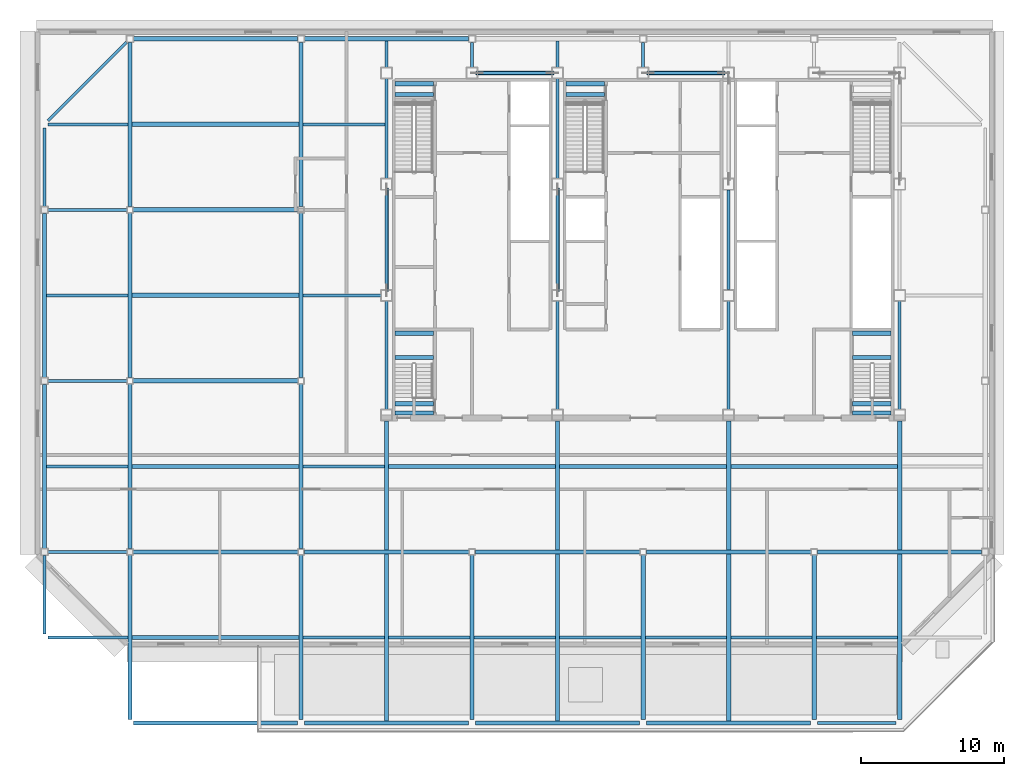
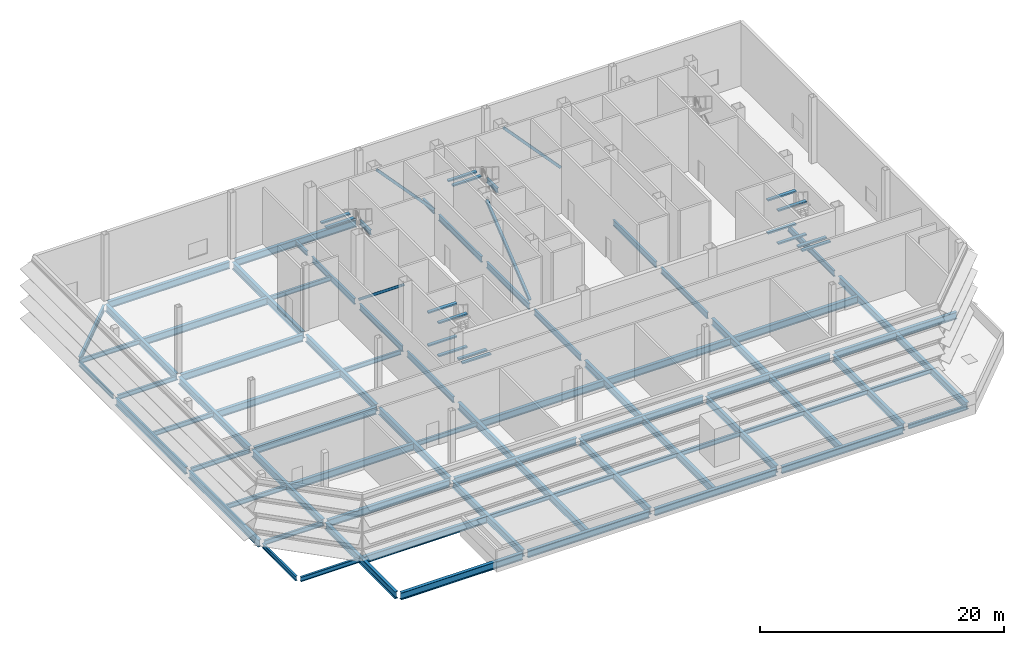
# One storey, part 3 of 14: 91 beams, 4 members.
"""IFC4 building model written with IfcOpenShell, lengths in metres."""

from ifc_helpers import new_model, si_unit, direction, frame, origin, origin_2d, place, context, subcontext, project, spatial, rectangle, hollow_rectangle, i_section, extrude, material, material_profile, profile_set, type_object, element, save


model = new_model("IFC4")

# Units and contexts
model_context = context("Model", 3, precision=1e-05, world=origin(), true_north=direction((0.0, 1.0)))
body_context = subcontext(model_context, "Body", "Model", "MODEL_VIEW")
ifc_project = project(units=[si_unit("LENGTHUNIT", "METRE"), si_unit("AREAUNIT", "SQUARE_METRE"), si_unit("VOLUMEUNIT", "CUBIC_METRE"), si_unit("PLANEANGLEUNIT", "RADIAN"), si_unit("MASSUNIT", "GRAM", prefix="KILO")], contexts=[model_context])

# Site, building, storey
site_placement = place(None, origin())
site = spatial("IfcSite", under=ifc_project, at=site_placement, CompositionType="ELEMENT")
building_placement = place(site_placement, origin())
building = spatial("IfcBuilding", under=site, at=building_placement, Name="Sorahane Residences", CompositionType="ELEMENT")
storey_placement = place(building_placement, frame((0.0, 0.0, 331.199951171875)))
storey = spatial("IfcBuildingStorey", under=building, at=storey_placement, Name="L79", CompositionType="ELEMENT", Elevation=331.199951171875)

# Members
ifc_material_1 = material(Name="Steel Q355B", Category="steel")
ifc_material_profile_1 = material_profile(ifc_material_1, hollow_rectangle(XDim=0.25, YDim=0.25, WallThickness=0.011962890625, InnerFilletRadius=0.006103515625, OuterFilletRadius=0.01806640625, at=origin_2d()), Name="RHS 250x250x12")
ifc_profile_set_1 = profile_set([ifc_material_profile_1], Name="Steel Q355B")
member_type = type_object("IfcMemberType", Name="Core brace RHS 250x250x12 Q355B", PredefinedType="BRACE", material=ifc_profile_set_1)
for number, where, z_axis, x_axis, name in (
    (1, (17.6552734375, 45.60009765625, 0.065185546875), (-0.677219062153, 0.0, 0.735781449791), (0.0, -1.0, 0.0), "Core brace L79 y45.6-2"),
    (2, (29.6552734375, 45.60009765625, 0.065185546875), (-0.677219062153, 0.0, 0.735781449791), (0.0, -1.0, 0.0), "Core brace L79 y45.6-4"),
):
    element("IfcMember", number, at=place(storey_placement, frame(where, z_axis=z_axis, x_axis=x_axis)), inside=storey, type_object=member_type, Name=name, PredefinedType="BRACE", context=body_context, shape_type="SweptSolid", body=[
        extrude(hollow_rectangle(XDim=0.25, YDim=0.25, WallThickness=0.011962890625, InnerFilletRadius=0.006103515625, OuterFilletRadius=0.01806640625, at=origin_2d()), origin(), (0.0, 0.0, 1.0), 7.841796875),
    ])
for number, where, z_axis, x_axis, name in (
    (3, (6.0, 37.447021484375, 0.0869140625), (0.0, -0.778149569128, 0.62807901419), (1.0, 0.0, 0.0), "Core brace L79 x6-2"),
    (4, (18.0, 30.352783203125, 0.0869140625), (0.0, 0.778149569128, 0.62807901419), (-1.0, 0.0, 0.0), "Core brace L79 x18-1"),
):
    element("IfcMember", number, at=place(storey_placement, frame(where, z_axis=z_axis, x_axis=x_axis)), inside=storey, type_object=member_type, Name=name, PredefinedType="BRACE", context=body_context, shape_type="SweptSolid", body=[
        extrude(hollow_rectangle(XDim=0.25, YDim=0.25, WallThickness=0.011962890625, InnerFilletRadius=0.006103515625, OuterFilletRadius=0.01806640625, at=origin_2d()), origin(), (0.0, 0.0, 1.0), 9.11669921875),
    ])

# Beams
ifc_material_2 = material(Name="Concrete C40", Category="concrete")
ifc_material_profile_2 = material_profile(ifc_material_2, rectangle(XDim=0.300048828125, YDim=0.139892578125, at=origin_2d()), Name="300x140")
ifc_profile_set_2 = profile_set([ifc_material_profile_2], Name="Concrete C40")
beam_type_1 = type_object("IfcBeamType", Name="RC landing beam 300 x 140 Concrete C40", PredefinedType="BEAM", material=ifc_profile_set_2)
for number, where, z_axis, x_axis, name in (
    (5, (6.60009765625, 44.090087890625, 3.030029296875), (1.0, 0.0, 0.0), (0.0, 1.0, 0.0), "Landing beam"),
    (6, (6.60009765625, 44.85009765625, 3.030029296875), (1.0, 0.0, 0.0), (0.0, 1.0, 0.0), "Landing beam"),
    (7, (18.60009765625, 44.090087890625, 3.030029296875), (1.0, 0.0, 0.0), (0.0, 1.0, 0.0), "Landing beam"),
    (8, (18.60009765625, 44.85009765625, 3.030029296875), (1.0, 0.0, 0.0), (0.0, 1.0, 0.0), "Landing beam"),
    (9, (6.60009765625, 25.639892578125, 1.380126953125), (1.0, 0.0, 0.0), (0.0, 1.0, 0.0), "Landing beam"),
    (10, (6.60009765625, 27.35009765625, 1.380126953125), (1.0, 0.0, 0.0), (0.0, 1.0, 0.0), "Landing beam"),
    (11, (6.60009765625, 21.75, 3.030029296875), (1.0, 0.0, 0.0), (0.0, 1.0, 0.0), "Landing beam"),
    (12, (6.60009765625, 22.39990234375, 3.030029296875), (1.0, 0.0, 0.0), (0.0, 1.0, 0.0), "Landing beam"),
    (13, (6.60009765625, 25.639892578125, 4.679931640625), (1.0, 0.0, 0.0), (0.0, 1.0, 0.0), "Landing beam"),
    (14, (6.60009765625, 27.35009765625, 4.679931640625), (1.0, 0.0, 0.0), (0.0, 1.0, 0.0), "Landing beam"),
    (15, (38.699951171875, 25.639892578125, 1.380126953125), (1.0, 0.0, 0.0), (0.0, 1.0, 0.0), "Landing beam"),
    (16, (38.699951171875, 27.35009765625, 1.380126953125), (1.0, 0.0, 0.0), (0.0, 1.0, 0.0), "Landing beam"),
    (17, (38.699951171875, 21.75, 3.030029296875), (1.0, 0.0, 0.0), (0.0, 1.0, 0.0), "Landing beam"),
    (18, (38.699951171875, 22.39990234375, 3.030029296875), (1.0, 0.0, 0.0), (0.0, 1.0, 0.0), "Landing beam"),
    (19, (38.699951171875, 25.639892578125, 4.679931640625), (1.0, 0.0, 0.0), (0.0, 1.0, 0.0), "Landing beam"),
    (20, (38.699951171875, 27.35009765625, 4.679931640625), (1.0, 0.0, 0.0), (0.0, 1.0, 0.0), "Landing beam"),
):
    element("IfcBeam", number, at=place(storey_placement, frame(where, z_axis=z_axis, x_axis=x_axis)), inside=storey, type_object=beam_type_1, Name=name, PredefinedType="BEAM", context=body_context, shape_type="SweptSolid", body=[
        extrude(rectangle(XDim=0.300048828125, YDim=0.139892578125, at=origin_2d()), origin(), (0.0, 0.0, 1.0), 2.699951171875),
    ])
ifc_material_3 = material(Name="Steel Q355B", Category="steel")
ifc_material_profile_3 = material_profile(ifc_material_3, i_section(OverallWidth=0.199951171875, OverallDepth=0.449951171875, WebThickness=0.009033203125, FlangeThickness=0.013916015625, FilletRadius=0.02001953125, at=origin_2d()), Name="HN 450x200x9x14")
ifc_profile_set_3 = profile_set([ifc_material_profile_3], Name="Steel Q355B")
beam_type_2 = type_object("IfcBeamType", Name="Steel floor beam HN 450x200x9x14 Q355B", PredefinedType="BEAM", material=ifc_profile_set_3)
beam_1_placement = place(storey_placement, frame((36.25, 0.0, -0.52490234375), z_axis=(1.0, 0.0, 0.0), x_axis=(0.0, 1.0, 0.0)))
element("IfcBeam", 21, at=beam_1_placement, inside=storey, type_object=beam_type_2, Name="Beam L79 004", PredefinedType="BEAM", context=body_context, shape_type="SweptSolid", body=[
    extrude(i_section(OverallWidth=0.199951171875, OverallDepth=0.449951171875, WebThickness=0.009033203125, FlangeThickness=0.013916015625, FilletRadius=0.02001953125, at=origin_2d()), origin(), (0.0, 0.0, 1.0), 5.5),
])
for number, where, z_axis, x_axis, name in (
    (22, (-17.75, 12.0, -0.52490234375), (1.0, 0.0, 0.0), (0.0, 1.0, 0.0), "Beam L79 005"),
    (23, (-17.75, 24.0, -0.52490234375), (1.0, 0.0, 0.0), (0.0, 1.0, 0.0), "Beam L79 011"),
    (24, (-17.75, 36.0, -0.52490234375), (1.0, 0.0, 0.0), (0.0, 1.0, 0.0), "Beam L79 013"),
):
    element("IfcBeam", number, at=place(storey_placement, frame(where, z_axis=z_axis, x_axis=x_axis)), inside=storey, type_object=beam_type_2, Name=name, PredefinedType="BEAM", context=body_context, shape_type="SweptSolid", body=[
        extrude(i_section(OverallWidth=0.199951171875, OverallDepth=0.449951171875, WebThickness=0.009033203125, FlangeThickness=0.013916015625, FilletRadius=0.02001953125, at=origin_2d()), origin(), (0.0, 0.0, 1.0), 5.52490234375),
    ])
for number, where, z_axis, x_axis, name in (
    (25, (-18.0, 6.25, -0.52490234375), (0.0, 1.0, 0.0), (-1.0, 0.0, 0.0), "Beam L79 020"),
    (26, (-18.0, 36.25, -0.52490234375), (0.0, 1.0, 0.0), (-1.0, 0.0, 0.0), "Beam L79 023"),
):
    element("IfcBeam", number, at=place(storey_placement, frame(where, z_axis=z_axis, x_axis=x_axis)), inside=storey, type_object=beam_type_2, Name=name, PredefinedType="BEAM", context=body_context, shape_type="SweptSolid", body=[
        extrude(i_section(OverallWidth=0.199951171875, OverallDepth=0.449951171875, WebThickness=0.009033203125, FlangeThickness=0.013916015625, FilletRadius=0.02001953125, at=origin_2d()), origin(), (0.0, 0.0, 1.0), 5.5),
    ])
beam_2_placement = place(storey_placement, frame((6.0, 46.0, -0.52490234375), z_axis=(0.0, 1.0, 0.0), x_axis=(-1.0, 0.0, 0.0)))
element("IfcBeam", 27, at=beam_2_placement, inside=storey, type_object=beam_type_2, Name="Beam L79 037", PredefinedType="BEAM", context=body_context, shape_type="SweptSolid", body=[
    extrude(i_section(OverallWidth=0.199951171875, OverallDepth=0.449951171875, WebThickness=0.009033203125, FlangeThickness=0.013916015625, FilletRadius=0.02001953125, at=origin_2d()), origin(), (0.0, 0.0, 1.0), 1.85009765625),
])
beam_3_placement = place(storey_placement, frame((12.0, 46.0, -0.52490234375), z_axis=(0.0, 1.0, 0.0), x_axis=(-1.0, 0.0, 0.0)))
element("IfcBeam", 28, at=beam_3_placement, inside=storey, type_object=beam_type_2, Name="Beam L79 039", PredefinedType="BEAM", context=body_context, shape_type="SweptSolid", body=[
    extrude(i_section(OverallWidth=0.199951171875, OverallDepth=0.449951171875, WebThickness=0.009033203125, FlangeThickness=0.013916015625, FilletRadius=0.02001953125, at=origin_2d()), origin(), (0.0, 0.0, 1.0), 1.75),
])
beam_4_placement = place(storey_placement, frame((18.0, 46.0, -0.52490234375), z_axis=(0.0, 1.0, 0.0), x_axis=(-1.0, 0.0, 0.0)))
element("IfcBeam", 29, at=beam_4_placement, inside=storey, type_object=beam_type_2, Name="Beam L79 045", PredefinedType="BEAM", context=body_context, shape_type="SweptSolid", body=[
    extrude(i_section(OverallWidth=0.199951171875, OverallDepth=0.449951171875, WebThickness=0.009033203125, FlangeThickness=0.013916015625, FilletRadius=0.02001953125, at=origin_2d()), origin(), (0.0, 0.0, 1.0), 1.85009765625),
])
beam_5_placement = place(storey_placement, frame((24.0, 46.0, -0.52490234375), z_axis=(0.0, 1.0, 0.0), x_axis=(-1.0, 0.0, 0.0)))
element("IfcBeam", 30, at=beam_5_placement, inside=storey, type_object=beam_type_2, Name="Beam L79 047", PredefinedType="BEAM", context=body_context, shape_type="SweptSolid", body=[
    extrude(i_section(OverallWidth=0.199951171875, OverallDepth=0.449951171875, WebThickness=0.009033203125, FlangeThickness=0.013916015625, FilletRadius=0.02001953125, at=origin_2d()), origin(), (0.0, 0.0, 1.0), 1.75),
])
beam_6_placement = place(storey_placement, frame((-17.75, 6.0, -0.52490234375), z_axis=(1.0, 0.0, 0.0), x_axis=(0.0, 1.0, 0.0)))
element("IfcBeam", 31, at=beam_6_placement, inside=storey, type_object=beam_type_2, Name="Beam L79 066", PredefinedType="BEAM", context=body_context, shape_type="SweptSolid", body=[
    extrude(i_section(OverallWidth=0.199951171875, OverallDepth=0.449951171875, WebThickness=0.009033203125, FlangeThickness=0.013916015625, FilletRadius=0.02001953125, at=origin_2d()), origin(), (0.0, 0.0, 1.0), 5.60009765625),
])
for number, where, z_axis, x_axis, name in (
    (32, (0.14990234375, 6.0, -0.52490234375), (1.0, 0.0, 0.0), (0.0, 1.0, 0.0), "Beam L79 068"),
    (33, (6.14990234375, 6.0, -0.52490234375), (1.0, 0.0, 0.0), (0.0, 1.0, 0.0), "Beam L79 069"),
    (34, (12.14990234375, 6.0, -0.52490234375), (1.0, 0.0, 0.0), (0.0, 1.0, 0.0), "Beam L79 070"),
    (35, (18.14990234375, 6.0, -0.52490234375), (1.0, 0.0, 0.0), (0.0, 1.0, 0.0), "Beam L79 071"),
    (36, (24.14990234375, 6.0, -0.52490234375), (1.0, 0.0, 0.0), (0.0, 1.0, 0.0), "Beam L79 072"),
    (37, (30.14990234375, 6.0, -0.52490234375), (1.0, 0.0, 0.0), (0.0, 1.0, 0.0), "Beam L79 073"),
    (38, (36.14990234375, 6.0, -0.52490234375), (1.0, 0.0, 0.0), (0.0, 1.0, 0.0), "Beam L79 074"),
    (39, (-17.85009765625, 18.0, -0.52490234375), (1.0, 0.0, 0.0), (0.0, 1.0, 0.0), "Beam L79 076"),
    (40, (0.14990234375, 18.0, -0.52490234375), (1.0, 0.0, 0.0), (0.0, 1.0, 0.0), "Beam L79 078"),
    (41, (-17.85009765625, 30.0, -0.52490234375), (1.0, 0.0, 0.0), (0.0, 1.0, 0.0), "Beam L79 083"),
):
    element("IfcBeam", number, at=place(storey_placement, frame(where, z_axis=z_axis, x_axis=x_axis)), inside=storey, type_object=beam_type_2, Name=name, PredefinedType="BEAM", context=body_context, shape_type="SweptSolid", body=[
        extrude(i_section(OverallWidth=0.199951171875, OverallDepth=0.449951171875, WebThickness=0.009033203125, FlangeThickness=0.013916015625, FilletRadius=0.02001953125, at=origin_2d()), origin(), (0.0, 0.0, 1.0), 5.7001953125),
    ])
beam_7_placement = place(storey_placement, frame((0.14990234375, 30.0, -0.52490234375), z_axis=(1.0, 0.0, 0.0), x_axis=(0.0, 1.0, 0.0)))
element("IfcBeam", 42, at=beam_7_placement, inside=storey, type_object=beam_type_2, Name="Beam L79 085", PredefinedType="BEAM", context=body_context, shape_type="SweptSolid", body=[
    extrude(i_section(OverallWidth=0.199951171875, OverallDepth=0.449951171875, WebThickness=0.009033203125, FlangeThickness=0.013916015625, FilletRadius=0.02001953125, at=origin_2d()), origin(), (0.0, 0.0, 1.0), 5.4501953125),
])
beam_8_placement = place(storey_placement, frame((-17.75, 42.0, -0.52490234375), z_axis=(1.0, 0.0, 0.0), x_axis=(0.0, 1.0, 0.0)))
element("IfcBeam", 43, at=beam_8_placement, inside=storey, type_object=beam_type_2, Name="Beam L79 087", PredefinedType="BEAM", context=body_context, shape_type="SweptSolid", body=[
    extrude(i_section(OverallWidth=0.199951171875, OverallDepth=0.449951171875, WebThickness=0.009033203125, FlangeThickness=0.013916015625, FilletRadius=0.02001953125, at=origin_2d()), origin(), (0.0, 0.0, 1.0), 5.60009765625),
])
beam_9_placement = place(storey_placement, frame((0.14990234375, 42.0, -0.52490234375), z_axis=(1.0, 0.0, 0.0), x_axis=(0.0, 1.0, 0.0)))
element("IfcBeam", 44, at=beam_9_placement, inside=storey, type_object=beam_type_2, Name="Beam L79 089", PredefinedType="BEAM", context=body_context, shape_type="SweptSolid", body=[
    extrude(i_section(OverallWidth=0.199951171875, OverallDepth=0.449951171875, WebThickness=0.009033203125, FlangeThickness=0.013916015625, FilletRadius=0.02001953125, at=origin_2d()), origin(), (0.0, 0.0, 1.0), 5.75),
])
ifc_material_4 = material(Name="Steel Q355B", Category="steel")
ifc_material_profile_4 = material_profile(ifc_material_4, i_section(OverallWidth=0.199951171875, OverallDepth=0.60009765625, WebThickness=0.010986328125, FlangeThickness=0.01708984375, FilletRadius=0.02392578125, at=origin_2d()), Name="HN 600x200x11x17")
ifc_profile_set_4 = profile_set([ifc_material_profile_4], Name="Steel Q355B")
beam_type_3 = type_object("IfcBeamType", Name="Steel floor beam HN 600x200x11x17 Q355B", PredefinedType="BEAM", material=ifc_profile_set_4)
beam_10_placement = place(storey_placement, frame((6.0, 22.0, -0.599853515625), z_axis=(0.0, 1.0, 0.0), x_axis=(-1.0, 0.0, 0.0)))
element("IfcBeam", 45, at=beam_10_placement, inside=storey, type_object=beam_type_3, Name="Beam L79 034", PredefinedType="BEAM", context=body_context, shape_type="SweptSolid", body=[
    extrude(i_section(OverallWidth=0.199951171875, OverallDepth=0.60009765625, WebThickness=0.010986328125, FlangeThickness=0.01708984375, FilletRadius=0.02392578125, at=origin_2d()), origin(), (0.0, 0.0, 1.0), 7.60009765625),
])
for number, where, z_axis, x_axis, name in (
    (46, (6.0, 30.39990234375, -0.599853515625), (0.0, 1.0, 0.0), (-1.0, 0.0, 0.0), "Beam L79 035"),
    (47, (6.0, 38.199951171875, -0.599853515625), (0.0, 1.0, 0.0), (-1.0, 0.0, 0.0), "Beam L79 036"),
):
    element("IfcBeam", number, at=place(storey_placement, frame(where, z_axis=z_axis, x_axis=x_axis)), inside=storey, type_object=beam_type_3, Name=name, PredefinedType="BEAM", context=body_context, shape_type="SweptSolid", body=[
        extrude(i_section(OverallWidth=0.199951171875, OverallDepth=0.60009765625, WebThickness=0.010986328125, FlangeThickness=0.01708984375, FilletRadius=0.02392578125, at=origin_2d()), origin(), (0.0, 0.0, 1.0), 7.0),
    ])
beam_11_placement = place(storey_placement, frame((18.0, 22.0, -0.599853515625), z_axis=(0.0, 1.0, 0.0), x_axis=(-1.0, 0.0, 0.0)))
element("IfcBeam", 48, at=beam_11_placement, inside=storey, type_object=beam_type_3, Name="Beam L79 042", PredefinedType="BEAM", context=body_context, shape_type="SweptSolid", body=[
    extrude(i_section(OverallWidth=0.199951171875, OverallDepth=0.60009765625, WebThickness=0.010986328125, FlangeThickness=0.01708984375, FilletRadius=0.02392578125, at=origin_2d()), origin(), (0.0, 0.0, 1.0), 7.60009765625),
])
for number, where, z_axis, x_axis, name in (
    (49, (18.0, 30.39990234375, -0.599853515625), (0.0, 1.0, 0.0), (-1.0, 0.0, 0.0), "Beam L79 043"),
    (50, (18.0, 38.199951171875, -0.599853515625), (0.0, 1.0, 0.0), (-1.0, 0.0, 0.0), "Beam L79 044"),
):
    element("IfcBeam", number, at=place(storey_placement, frame(where, z_axis=z_axis, x_axis=x_axis)), inside=storey, type_object=beam_type_3, Name=name, PredefinedType="BEAM", context=body_context, shape_type="SweptSolid", body=[
        extrude(i_section(OverallWidth=0.199951171875, OverallDepth=0.60009765625, WebThickness=0.010986328125, FlangeThickness=0.01708984375, FilletRadius=0.02392578125, at=origin_2d()), origin(), (0.0, 0.0, 1.0), 7.0),
    ])
beam_12_placement = place(storey_placement, frame((30.0, 22.0, -0.599853515625), z_axis=(0.0, 1.0, 0.0), x_axis=(-1.0, 0.0, 0.0)))
element("IfcBeam", 51, at=beam_12_placement, inside=storey, type_object=beam_type_3, Name="Beam L79 050", PredefinedType="BEAM", context=body_context, shape_type="SweptSolid", body=[
    extrude(i_section(OverallWidth=0.199951171875, OverallDepth=0.60009765625, WebThickness=0.010986328125, FlangeThickness=0.01708984375, FilletRadius=0.02392578125, at=origin_2d()), origin(), (0.0, 0.0, 1.0), 7.60009765625),
])
beam_13_placement = place(storey_placement, frame((30.0, 30.39990234375, -0.599853515625), z_axis=(0.0, 1.0, 0.0), x_axis=(-1.0, 0.0, 0.0)))
element("IfcBeam", 52, at=beam_13_placement, inside=storey, type_object=beam_type_3, Name="Beam L79 051", PredefinedType="BEAM", context=body_context, shape_type="SweptSolid", body=[
    extrude(i_section(OverallWidth=0.199951171875, OverallDepth=0.60009765625, WebThickness=0.010986328125, FlangeThickness=0.01708984375, FilletRadius=0.02392578125, at=origin_2d()), origin(), (0.0, 0.0, 1.0), 7.0),
])
beam_14_placement = place(storey_placement, frame((42.0, 22.0, -0.599853515625), z_axis=(0.0, 1.0, 0.0), x_axis=(-1.0, 0.0, 0.0)))
element("IfcBeam", 53, at=beam_14_placement, inside=storey, type_object=beam_type_3, Name="Beam L79 058", PredefinedType="BEAM", context=body_context, shape_type="SweptSolid", body=[
    extrude(i_section(OverallWidth=0.199951171875, OverallDepth=0.60009765625, WebThickness=0.010986328125, FlangeThickness=0.01708984375, FilletRadius=0.02392578125, at=origin_2d()), origin(), (0.0, 0.0, 1.0), 7.60009765625),
])
beam_15_placement = place(storey_placement, frame((-17.75, 42.25, -0.599853515625), z_axis=(0.707106781187, 0.707106781187, 0.0), x_axis=(-0.707106781187, 0.707106781187, 0.0)))
element("IfcBeam", 54, at=beam_15_placement, inside=storey, type_object=beam_type_3, Name="Beam L79 091", PredefinedType="BEAM", context=body_context, shape_type="SweptSolid", body=[
    extrude(i_section(OverallWidth=0.199951171875, OverallDepth=0.60009765625, WebThickness=0.010986328125, FlangeThickness=0.01708984375, FilletRadius=0.02392578125, at=origin_2d()), origin(), (0.0, 0.0, 1.0), 7.778076171875),
])
ifc_material_5 = material(Name="Steel Q355B", Category="steel")
ifc_material_profile_5 = material_profile(ifc_material_5, i_section(OverallWidth=0.300048828125, OverallDepth=0.699951171875, WebThickness=0.012939453125, FlangeThickness=0.02392578125, FilletRadius=0.028076171875, at=origin_2d()), Name="HN 700x300x13x24")
ifc_profile_set_5 = profile_set([ifc_material_profile_5], Name="Steel Q355B")
beam_type_4 = type_object("IfcBeamType", Name="Steel floor beam HN 700x300x13x24 Q355B", PredefinedType="BEAM", material=ifc_profile_set_5)
for number, where, z_axis, x_axis, name in (
    (55, (-11.75, 0.0, -0.64990234375), (1.0, 0.0, 0.0), (0.0, 1.0, 0.0), "Beam L79 000"),
    (56, (0.25, 0.0, -0.64990234375), (1.0, 0.0, 0.0), (0.0, 1.0, 0.0), "Beam L79 001"),
    (57, (12.25, 0.0, -0.64990234375), (1.0, 0.0, 0.0), (0.0, 1.0, 0.0), "Beam L79 002"),
    (58, (24.25, 0.0, -0.64990234375), (1.0, 0.0, 0.0), (0.0, 1.0, 0.0), "Beam L79 003"),
):
    element("IfcBeam", number, at=place(storey_placement, frame(where, z_axis=z_axis, x_axis=x_axis)), inside=storey, type_object=beam_type_4, Name=name, PredefinedType="BEAM", context=body_context, shape_type="SweptSolid", body=[
        extrude(i_section(OverallWidth=0.300048828125, OverallDepth=0.699951171875, WebThickness=0.012939453125, FlangeThickness=0.02392578125, FilletRadius=0.028076171875, at=origin_2d()), origin(), (0.0, 0.0, 1.0), 11.5),
    ])
for number, where, z_axis, x_axis, name in (
    (59, (-11.77490234375, 12.0, -0.64990234375), (1.0, 0.0, 0.0), (0.0, 1.0, 0.0), "Beam L79 006"),
    (60, (0.22509765625, 12.0, -0.64990234375), (1.0, 0.0, 0.0), (0.0, 1.0, 0.0), "Beam L79 007"),
    (61, (12.22509765625, 12.0, -0.64990234375), (1.0, 0.0, 0.0), (0.0, 1.0, 0.0), "Beam L79 008"),
    (62, (24.22509765625, 12.0, -0.64990234375), (1.0, 0.0, 0.0), (0.0, 1.0, 0.0), "Beam L79 009"),
):
    element("IfcBeam", number, at=place(storey_placement, frame(where, z_axis=z_axis, x_axis=x_axis)), inside=storey, type_object=beam_type_4, Name=name, PredefinedType="BEAM", context=body_context, shape_type="SweptSolid", body=[
        extrude(i_section(OverallWidth=0.300048828125, OverallDepth=0.699951171875, WebThickness=0.012939453125, FlangeThickness=0.02392578125, FilletRadius=0.028076171875, at=origin_2d()), origin(), (0.0, 0.0, 1.0), 11.5498046875),
    ])
beam_16_placement = place(storey_placement, frame((36.22509765625, 12.0, -0.64990234375), z_axis=(1.0, 0.0, 0.0), x_axis=(0.0, 1.0, 0.0)))
element("IfcBeam", 63, at=beam_16_placement, inside=storey, type_object=beam_type_4, Name="Beam L79 010", PredefinedType="BEAM", context=body_context, shape_type="SweptSolid", body=[
    extrude(i_section(OverallWidth=0.300048828125, OverallDepth=0.699951171875, WebThickness=0.012939453125, FlangeThickness=0.02392578125, FilletRadius=0.028076171875, at=origin_2d()), origin(), (0.0, 0.0, 1.0), 11.52490234375),
])
for number, where, z_axis, x_axis, name in (
    (64, (-11.77490234375, 24.0, -0.64990234375), (1.0, 0.0, 0.0), (0.0, 1.0, 0.0), "Beam L79 012"),
    (65, (-11.77490234375, 36.0, -0.64990234375), (1.0, 0.0, 0.0), (0.0, 1.0, 0.0), "Beam L79 014"),
):
    element("IfcBeam", number, at=place(storey_placement, frame(where, z_axis=z_axis, x_axis=x_axis)), inside=storey, type_object=beam_type_4, Name=name, PredefinedType="BEAM", context=body_context, shape_type="SweptSolid", body=[
        extrude(i_section(OverallWidth=0.300048828125, OverallDepth=0.699951171875, WebThickness=0.012939453125, FlangeThickness=0.02392578125, FilletRadius=0.028076171875, at=origin_2d()), origin(), (0.0, 0.0, 1.0), 11.5498046875),
    ])
for number, where, z_axis, x_axis, name in (
    (66, (-11.75, 48.0, -0.64990234375), (1.0, 0.0, 0.0), (0.0, 1.0, 0.0), "Beam L79 015"),
    (67, (0.25, 48.0, -0.64990234375), (1.0, 0.0, 0.0), (0.0, 1.0, 0.0), "Beam L79 016"),
    (68, (-18.0, 12.25, -0.64990234375), (0.0, 1.0, 0.0), (-1.0, 0.0, 0.0), "Beam L79 021"),
    (69, (-18.0, 24.25, -0.64990234375), (0.0, 1.0, 0.0), (-1.0, 0.0, 0.0), "Beam L79 022"),
):
    element("IfcBeam", number, at=place(storey_placement, frame(where, z_axis=z_axis, x_axis=x_axis)), inside=storey, type_object=beam_type_4, Name=name, PredefinedType="BEAM", context=body_context, shape_type="SweptSolid", body=[
        extrude(i_section(OverallWidth=0.300048828125, OverallDepth=0.699951171875, WebThickness=0.012939453125, FlangeThickness=0.02392578125, FilletRadius=0.028076171875, at=origin_2d()), origin(), (0.0, 0.0, 1.0), 11.5),
    ])
beam_17_placement = place(storey_placement, frame((-12.0, 0.25, -0.64990234375), z_axis=(0.0, 1.0, 0.0), x_axis=(-1.0, 0.0, 0.0)))
element("IfcBeam", 70, at=beam_17_placement, inside=storey, type_object=beam_type_4, Name="Beam L79 024", PredefinedType="BEAM", context=body_context, shape_type="SweptSolid", body=[
    extrude(i_section(OverallWidth=0.300048828125, OverallDepth=0.699951171875, WebThickness=0.012939453125, FlangeThickness=0.02392578125, FilletRadius=0.028076171875, at=origin_2d()), origin(), (0.0, 0.0, 1.0), 11.52490234375),
])
for number, where, z_axis, x_axis, name in (
    (71, (-12.0, 12.22509765625, -0.64990234375), (0.0, 1.0, 0.0), (-1.0, 0.0, 0.0), "Beam L79 025"),
    (72, (-12.0, 24.22509765625, -0.64990234375), (0.0, 1.0, 0.0), (-1.0, 0.0, 0.0), "Beam L79 026"),
):
    element("IfcBeam", number, at=place(storey_placement, frame(where, z_axis=z_axis, x_axis=x_axis)), inside=storey, type_object=beam_type_4, Name=name, PredefinedType="BEAM", context=body_context, shape_type="SweptSolid", body=[
        extrude(i_section(OverallWidth=0.300048828125, OverallDepth=0.699951171875, WebThickness=0.012939453125, FlangeThickness=0.02392578125, FilletRadius=0.028076171875, at=origin_2d()), origin(), (0.0, 0.0, 1.0), 11.5498046875),
    ])
for number, where, z_axis, x_axis, name in (
    (73, (-12.0, 36.22509765625, -0.64990234375), (0.0, 1.0, 0.0), (-1.0, 0.0, 0.0), "Beam L79 027"),
    (74, (0.0, 0.25, -0.64990234375), (0.0, 1.0, 0.0), (-1.0, 0.0, 0.0), "Beam L79 028"),
):
    element("IfcBeam", number, at=place(storey_placement, frame(where, z_axis=z_axis, x_axis=x_axis)), inside=storey, type_object=beam_type_4, Name=name, PredefinedType="BEAM", context=body_context, shape_type="SweptSolid", body=[
        extrude(i_section(OverallWidth=0.300048828125, OverallDepth=0.699951171875, WebThickness=0.012939453125, FlangeThickness=0.02392578125, FilletRadius=0.028076171875, at=origin_2d()), origin(), (0.0, 0.0, 1.0), 11.52490234375),
    ])
for number, where, z_axis, x_axis, name in (
    (75, (0.0, 12.22509765625, -0.64990234375), (0.0, 1.0, 0.0), (-1.0, 0.0, 0.0), "Beam L79 029"),
    (76, (0.0, 24.22509765625, -0.64990234375), (0.0, 1.0, 0.0), (-1.0, 0.0, 0.0), "Beam L79 030"),
):
    element("IfcBeam", number, at=place(storey_placement, frame(where, z_axis=z_axis, x_axis=x_axis)), inside=storey, type_object=beam_type_4, Name=name, PredefinedType="BEAM", context=body_context, shape_type="SweptSolid", body=[
        extrude(i_section(OverallWidth=0.300048828125, OverallDepth=0.699951171875, WebThickness=0.012939453125, FlangeThickness=0.02392578125, FilletRadius=0.028076171875, at=origin_2d()), origin(), (0.0, 0.0, 1.0), 11.5498046875),
    ])
beam_18_placement = place(storey_placement, frame((0.0, 36.22509765625, -0.64990234375), z_axis=(0.0, 1.0, 0.0), x_axis=(-1.0, 0.0, 0.0)))
element("IfcBeam", 77, at=beam_18_placement, inside=storey, type_object=beam_type_4, Name="Beam L79 031", PredefinedType="BEAM", context=body_context, shape_type="SweptSolid", body=[
    extrude(i_section(OverallWidth=0.300048828125, OverallDepth=0.699951171875, WebThickness=0.012939453125, FlangeThickness=0.02392578125, FilletRadius=0.028076171875, at=origin_2d()), origin(), (0.0, 0.0, 1.0), 11.52490234375),
])
beam_19_placement = place(storey_placement, frame((6.0, 0.14990234375, -0.64990234375), z_axis=(0.0, 1.0, 0.0), x_axis=(-1.0, 0.0, 0.0)))
element("IfcBeam", 78, at=beam_19_placement, inside=storey, type_object=beam_type_4, Name="Beam L79 032", PredefinedType="BEAM", context=body_context, shape_type="SweptSolid", body=[
    extrude(i_section(OverallWidth=0.300048828125, OverallDepth=0.699951171875, WebThickness=0.012939453125, FlangeThickness=0.02392578125, FilletRadius=0.028076171875, at=origin_2d()), origin(), (0.0, 0.0, 1.0), 11.7001953125),
])
beam_20_placement = place(storey_placement, frame((6.0, 12.14990234375, -0.64990234375), z_axis=(0.0, 1.0, 0.0), x_axis=(-1.0, 0.0, 0.0)))
element("IfcBeam", 79, at=beam_20_placement, inside=storey, type_object=beam_type_4, Name="Beam L79 033", PredefinedType="BEAM", context=body_context, shape_type="SweptSolid", body=[
    extrude(i_section(OverallWidth=0.300048828125, OverallDepth=0.699951171875, WebThickness=0.012939453125, FlangeThickness=0.02392578125, FilletRadius=0.028076171875, at=origin_2d()), origin(), (0.0, 0.0, 1.0), 9.050048828125),
])
beam_21_placement = place(storey_placement, frame((12.0, 0.25, -0.64990234375), z_axis=(0.0, 1.0, 0.0), x_axis=(-1.0, 0.0, 0.0)))
element("IfcBeam", 80, at=beam_21_placement, inside=storey, type_object=beam_type_4, Name="Beam L79 038", PredefinedType="BEAM", context=body_context, shape_type="SweptSolid", body=[
    extrude(i_section(OverallWidth=0.300048828125, OverallDepth=0.699951171875, WebThickness=0.012939453125, FlangeThickness=0.02392578125, FilletRadius=0.028076171875, at=origin_2d()), origin(), (0.0, 0.0, 1.0), 11.52490234375),
])
beam_22_placement = place(storey_placement, frame((18.0, 0.14990234375, -0.64990234375), z_axis=(0.0, 1.0, 0.0), x_axis=(-1.0, 0.0, 0.0)))
element("IfcBeam", 81, at=beam_22_placement, inside=storey, type_object=beam_type_4, Name="Beam L79 040", PredefinedType="BEAM", context=body_context, shape_type="SweptSolid", body=[
    extrude(i_section(OverallWidth=0.300048828125, OverallDepth=0.699951171875, WebThickness=0.012939453125, FlangeThickness=0.02392578125, FilletRadius=0.028076171875, at=origin_2d()), origin(), (0.0, 0.0, 1.0), 11.7001953125),
])
beam_23_placement = place(storey_placement, frame((18.0, 12.14990234375, -0.64990234375), z_axis=(0.0, 1.0, 0.0), x_axis=(-1.0, 0.0, 0.0)))
element("IfcBeam", 82, at=beam_23_placement, inside=storey, type_object=beam_type_4, Name="Beam L79 041", PredefinedType="BEAM", context=body_context, shape_type="SweptSolid", body=[
    extrude(i_section(OverallWidth=0.300048828125, OverallDepth=0.699951171875, WebThickness=0.012939453125, FlangeThickness=0.02392578125, FilletRadius=0.028076171875, at=origin_2d()), origin(), (0.0, 0.0, 1.0), 9.050048828125),
])
beam_24_placement = place(storey_placement, frame((24.0, 0.25, -0.64990234375), z_axis=(0.0, 1.0, 0.0), x_axis=(-1.0, 0.0, 0.0)))
element("IfcBeam", 83, at=beam_24_placement, inside=storey, type_object=beam_type_4, Name="Beam L79 046", PredefinedType="BEAM", context=body_context, shape_type="SweptSolid", body=[
    extrude(i_section(OverallWidth=0.300048828125, OverallDepth=0.699951171875, WebThickness=0.012939453125, FlangeThickness=0.02392578125, FilletRadius=0.028076171875, at=origin_2d()), origin(), (0.0, 0.0, 1.0), 11.52490234375),
])
beam_25_placement = place(storey_placement, frame((30.0, 0.14990234375, -0.64990234375), z_axis=(0.0, 1.0, 0.0), x_axis=(-1.0, 0.0, 0.0)))
element("IfcBeam", 84, at=beam_25_placement, inside=storey, type_object=beam_type_4, Name="Beam L79 048", PredefinedType="BEAM", context=body_context, shape_type="SweptSolid", body=[
    extrude(i_section(OverallWidth=0.300048828125, OverallDepth=0.699951171875, WebThickness=0.012939453125, FlangeThickness=0.02392578125, FilletRadius=0.028076171875, at=origin_2d()), origin(), (0.0, 0.0, 1.0), 11.7001953125),
])
beam_26_placement = place(storey_placement, frame((30.0, 12.14990234375, -0.64990234375), z_axis=(0.0, 1.0, 0.0), x_axis=(-1.0, 0.0, 0.0)))
element("IfcBeam", 85, at=beam_26_placement, inside=storey, type_object=beam_type_4, Name="Beam L79 049", PredefinedType="BEAM", context=body_context, shape_type="SweptSolid", body=[
    extrude(i_section(OverallWidth=0.300048828125, OverallDepth=0.699951171875, WebThickness=0.012939453125, FlangeThickness=0.02392578125, FilletRadius=0.028076171875, at=origin_2d()), origin(), (0.0, 0.0, 1.0), 9.050048828125),
])
beam_27_placement = place(storey_placement, frame((36.0, 0.25, -0.64990234375), z_axis=(0.0, 1.0, 0.0), x_axis=(-1.0, 0.0, 0.0)))
element("IfcBeam", 86, at=beam_27_placement, inside=storey, type_object=beam_type_4, Name="Beam L79 054", PredefinedType="BEAM", context=body_context, shape_type="SweptSolid", body=[
    extrude(i_section(OverallWidth=0.300048828125, OverallDepth=0.699951171875, WebThickness=0.012939453125, FlangeThickness=0.02392578125, FilletRadius=0.028076171875, at=origin_2d()), origin(), (0.0, 0.0, 1.0), 11.52490234375),
])
beam_28_placement = place(storey_placement, frame((42.0, 0.25, -0.64990234375), z_axis=(0.0, 1.0, 0.0), x_axis=(-1.0, 0.0, 0.0)))
element("IfcBeam", 87, at=beam_28_placement, inside=storey, type_object=beam_type_4, Name="Beam L79 056", PredefinedType="BEAM", context=body_context, shape_type="SweptSolid", body=[
    extrude(i_section(OverallWidth=0.300048828125, OverallDepth=0.699951171875, WebThickness=0.012939453125, FlangeThickness=0.02392578125, FilletRadius=0.028076171875, at=origin_2d()), origin(), (0.0, 0.0, 1.0), 11.60009765625),
])
beam_29_placement = place(storey_placement, frame((42.0, 12.14990234375, -0.64990234375), z_axis=(0.0, 1.0, 0.0), x_axis=(-1.0, 0.0, 0.0)))
element("IfcBeam", 88, at=beam_29_placement, inside=storey, type_object=beam_type_4, Name="Beam L79 057", PredefinedType="BEAM", context=body_context, shape_type="SweptSolid", body=[
    extrude(i_section(OverallWidth=0.300048828125, OverallDepth=0.699951171875, WebThickness=0.012939453125, FlangeThickness=0.02392578125, FilletRadius=0.028076171875, at=origin_2d()), origin(), (0.0, 0.0, 1.0), 9.050048828125),
])
for number, where, z_axis, x_axis, name in (
    (89, (-11.85009765625, 6.0, -0.64990234375), (1.0, 0.0, 0.0), (0.0, 1.0, 0.0), "Beam L79 067"),
    (90, (-11.85009765625, 18.0, -0.64990234375), (1.0, 0.0, 0.0), (0.0, 1.0, 0.0), "Beam L79 077"),
    (91, (6.14990234375, 18.0, -0.64990234375), (1.0, 0.0, 0.0), (0.0, 1.0, 0.0), "Beam L79 079"),
    (92, (18.14990234375, 18.0, -0.64990234375), (1.0, 0.0, 0.0), (0.0, 1.0, 0.0), "Beam L79 080"),
    (93, (30.14990234375, 18.0, -0.64990234375), (1.0, 0.0, 0.0), (0.0, 1.0, 0.0), "Beam L79 081"),
    (94, (-11.85009765625, 30.0, -0.64990234375), (1.0, 0.0, 0.0), (0.0, 1.0, 0.0), "Beam L79 084"),
    (95, (-11.85009765625, 42.0, -0.64990234375), (1.0, 0.0, 0.0), (0.0, 1.0, 0.0), "Beam L79 088"),
):
    element("IfcBeam", number, at=place(storey_placement, frame(where, z_axis=z_axis, x_axis=x_axis)), inside=storey, type_object=beam_type_4, Name=name, PredefinedType="BEAM", context=body_context, shape_type="SweptSolid", body=[
        extrude(i_section(OverallWidth=0.300048828125, OverallDepth=0.699951171875, WebThickness=0.012939453125, FlangeThickness=0.02392578125, FilletRadius=0.028076171875, at=origin_2d()), origin(), (0.0, 0.0, 1.0), 11.7001953125),
    ])

save(model, "model.ifc")
